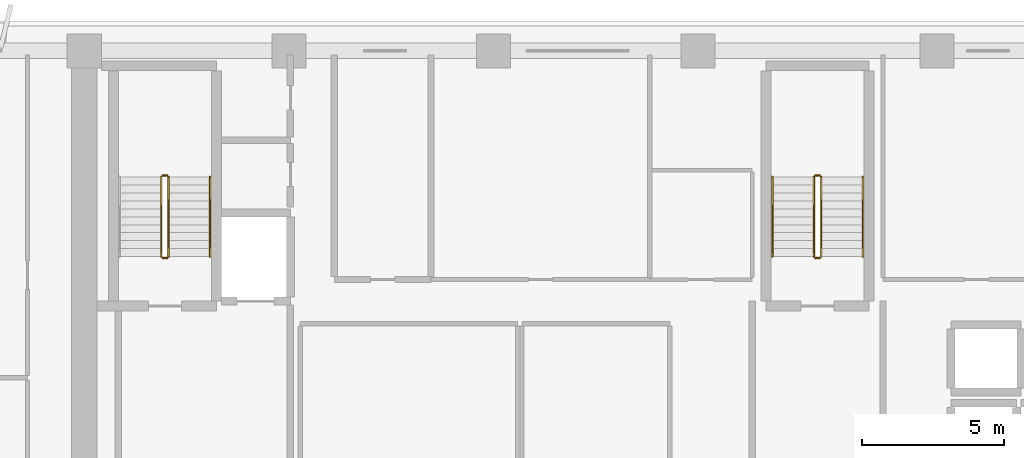
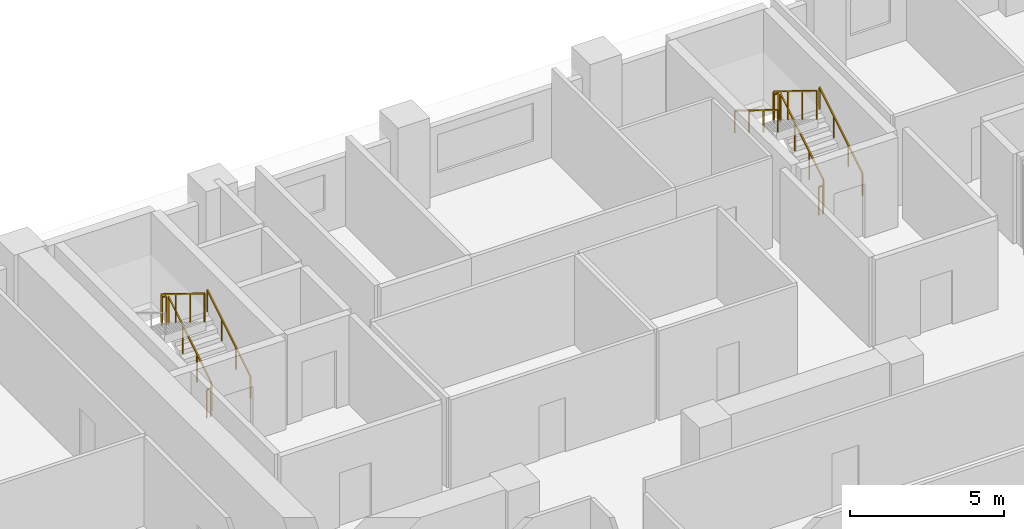
# One storey, part 13 of 15: 11 railings.
"""IFC4 building model written with IfcOpenShell, lengths in metres."""

import ifcopenshell
import ifcopenshell.guid

model = None  # the IFC model being written
_history = None  # IfcOwnerHistory: only IFC2X3 demands one
_inside = {}  # id of a spatial element -> (the spatial element, [elements in it])
_under = {}  # id of a project, library or spatial element -> (it, [spatial elements below it])
_declared = {}  # id of a project -> (the project, [libraries it declares])
_typed = {}  # id of a type object -> (the type object, [elements of that type])
_made_of = {}  # id of a material, layer set ... -> (it, [elements and type objects made of it])


def new_model(schema):
    """Start an empty IFC model of exactly this schema.

    Asked for "IFC4X3", IfcOpenShell would pick the latest addendum, in which some entities
    have other attributes; the version numbers below select the first issue.
    IFC2X3 requires an IfcOwnerHistory on every rooted entity: one is made here for all.
    """
    global model, _history
    if schema == "IFC4X3":
        model = ifcopenshell.file(schema_version=(4, 3, 0, 0))
    else:
        model = ifcopenshell.file(schema=schema)
    _inside.clear()
    _under.clear()
    _declared.clear()
    _typed.clear()
    _made_of.clear()
    _history = None
    if model.schema == "IFC2X3":
        org = make("IfcOrganization", Name="unknown")
        user = make(
            "IfcPersonAndOrganization",
            ThePerson=make("IfcPerson", FamilyName="unknown"),
            TheOrganization=org,
        )
        app = make(
            "IfcApplication",
            ApplicationDeveloper=org,
            Version="unknown",
            ApplicationFullName="unknown",
            ApplicationIdentifier="unknown",
        )
        _history = make(
            "IfcOwnerHistory",
            OwningUser=user,
            OwningApplication=app,
            ChangeAction="ADDED",
            CreationDate=0,
        )
    return model


def make(cls, **values):
    """One entity of the class cls with the attributes given. An attribute that is None is left unset."""
    return model.create_entity(
        cls, **{name: value for name, value in values.items() if value is not None}
    )


def rooted(cls, **values):
    """An entity with a GlobalId (a new one), such as an element, a storey or a relation."""
    return make(cls, GlobalId=ifcopenshell.guid.new(), OwnerHistory=_history, **values)


def si_unit(unit_type, name, prefix=None):
    """IfcSIUnit, for example si_unit("LENGTHUNIT", "METRE", prefix="MILLI")."""
    return make("IfcSIUnit", UnitType=unit_type, Prefix=prefix, Name=name)


def assignment(units):
    """IfcUnitAssignment: the units of a project."""
    return None if units is None else make("IfcUnitAssignment", Units=units)


def point(xyz):
    """IfcCartesianPoint."""
    return None if xyz is None else make("IfcCartesianPoint", Coordinates=xyz)


def direction(xyz):
    """IfcDirection."""
    return None if xyz is None else make("IfcDirection", DirectionRatios=xyz)


def frame(location, z_axis=None, x_axis=None):
    """IfcAxis2Placement3D, a coordinate frame: its origin and axes. An axis left out is left unset."""
    return make(
        "IfcAxis2Placement3D",
        Location=point(location),
        Axis=direction(z_axis),
        RefDirection=direction(x_axis),
    )


def frame_2d(location, x_axis=None):
    """IfcAxis2Placement2D, a coordinate frame in the plane: its origin and x axis."""
    return make(
        "IfcAxis2Placement2D", Location=point(location), RefDirection=direction(x_axis)
    )


def origin():
    """The frame at (0, 0, 0) with its axes left unset."""
    return frame((0.0, 0.0, 0.0))


def origin_2d():
    """The frame at (0, 0) in the plane with its x axis left unset."""
    return frame_2d((0.0, 0.0))


def place(relative_to, where):
    """IfcLocalPlacement: puts the frame where relative to a parent placement (None: the world)."""
    return make(
        "IfcLocalPlacement", PlacementRelTo=relative_to, RelativePlacement=where
    )


def context(
    kind, dimensions, precision=None, world=None, true_north=None, identifier=None
):
    """IfcGeometricRepresentationContext, for example the 3D "Model" context."""
    return make(
        "IfcGeometricRepresentationContext",
        ContextIdentifier=identifier,
        ContextType=kind,
        CoordinateSpaceDimension=dimensions,
        Precision=precision,
        WorldCoordinateSystem=world,
        TrueNorth=true_north,
    )


def subcontext(parent, identifier, kind, view, scale=None):
    """IfcGeometricRepresentationSubContext, for example "Body" below "Model"."""
    return make(
        "IfcGeometricRepresentationSubContext",
        ContextIdentifier=identifier,
        ContextType=kind,
        ParentContext=parent,
        TargetScale=scale,
        TargetView=view,
    )


def project(units=None, contexts=None):
    """IfcProject with its units and contexts."""
    return rooted(
        "IfcProject",
        Name="project",
        RepresentationContexts=contexts,
        UnitsInContext=assignment(units),
    )


def spatial(cls, under=None, at=None, **own):
    """A site, building, storey or space (cls), placed at a placement, below another one or the project."""
    s = rooted(cls, ObjectPlacement=at, **own)
    if under is not None:
        _under.setdefault(under.id(), (under, []))[1].append(s)
    return s


def profile(cls, at=None, kind="AREA", **sizes):
    """A parametric profile (cls). Its sizes go by their IFC names, for example OverallWidth=200.0."""
    return make(cls, ProfileType=kind, Position=at, **sizes)


def rectangle(**sizes):
    """IfcRectangleProfileDef."""
    return profile("IfcRectangleProfileDef", **sizes)


def extrude(swept, where, along, depth):
    """IfcExtrudedAreaSolid: the profile swept, set in the frame where, extruded along a direction by depth."""
    return make(
        "IfcExtrudedAreaSolid",
        SweptArea=swept,
        Position=where,
        ExtrudedDirection=direction(along),
        Depth=depth,
    )


def shape(context_of_items, identifier, shape_type, items):
    """IfcShapeRepresentation: the items that make up one representation, for example the "Body"."""
    return make(
        "IfcShapeRepresentation",
        ContextOfItems=context_of_items,
        RepresentationIdentifier=identifier,
        RepresentationType=shape_type,
        Items=items,
    )


def material(Name=None, Category=None):
    """IfcMaterial."""
    return make("IfcMaterial", Name=Name, Category=Category)


def made_of(thing, what):
    """Note that an element or type object is made of a material, layer set ...; save() writes the relation."""
    if what is not None:
        _made_of.setdefault(what.id(), (what, []))[1].append(thing)
    return thing


def type_object(cls, material=None, **own):
    """A type object (cls), such as IfcWallType, which elements share."""
    return made_of(rooted(cls, **own), material)


def element(
    cls,
    number,
    at=None,
    inside=None,
    cuts=None,
    type_object=None,
    material=None,
    context=None,
    identifier="Body",
    shape_type=None,
    held_by="IfcProductDefinitionShape",
    body=None,
    shapes=None,
    **own,
):
    """One element of the class cls, such as IfcWall. Its Tag is "e" and its number.

    at: its placement. inside: the storey or other place that contains it. cuts: it is an
    opening in that element (IfcRelVoidsElement). A single representation is given by context,
    identifier, shape_type and body (its items); several are given by shapes. held_by: the class
    of the entity that holds the representations. save() writes the other relations.
    """
    e = rooted(cls, Tag="e%d" % number, ObjectPlacement=at, **own)
    if body is not None:
        shapes = [shape(context, identifier, shape_type, body)]
    if shapes is not None:
        e.Representation = make(held_by, Representations=shapes)
    if inside is not None:
        _inside.setdefault(inside.id(), (inside, []))[1].append(e)
    if cuts is not None:
        rooted(
            "IfcRelVoidsElement", RelatingBuildingElement=cuts, RelatedOpeningElement=e
        )
    if type_object is not None:
        _typed.setdefault(type_object.id(), (type_object, []))[1].append(e)
    return made_of(e, material)


def aggregate(whole, parts):
    """IfcRelAggregates: a whole, such as a stair, and the parts it consists of."""
    return rooted("IfcRelAggregates", RelatingObject=whole, RelatedObjects=parts)


def save(model, path):
    """Write the relations noted so far, then the file.

    IfcRelAggregates (storeys below a building ...), IfcRelContainedInSpatialStructure (elements
    in a storey), IfcRelDefinesByType, IfcRelAssociatesMaterial and IfcRelDeclares: one each for
    every whole, place, type object, material and project.
    """
    for whole, parts in _under.values():
        aggregate(whole, parts)
    for where, things in _inside.values():
        rooted(
            "IfcRelContainedInSpatialStructure",
            RelatedElements=things,
            RelatingStructure=where,
        )
    for kind, things in _typed.values():
        rooted("IfcRelDefinesByType", RelatedObjects=things, RelatingType=kind)
    for what, things in _made_of.values():
        rooted("IfcRelAssociatesMaterial", RelatedObjects=things, RelatingMaterial=what)
    for by, libraries in _declared.values():
        rooted("IfcRelDeclares", RelatingContext=by, RelatedDefinitions=libraries)
    model.write(path)


model = new_model("IFC4")

# Units and contexts
model_context = context("Model", 3, precision=1e-05, world=origin(), true_north=direction((0.0, 1.0)))
body_context = subcontext(model_context, "Body", "Model", "MODEL_VIEW")
ifc_project = project(units=[si_unit("LENGTHUNIT", "METRE"), si_unit("AREAUNIT", "SQUARE_METRE"), si_unit("VOLUMEUNIT", "CUBIC_METRE"), si_unit("PLANEANGLEUNIT", "RADIAN"), si_unit("MASSUNIT", "GRAM", prefix="KILO")], contexts=[model_context])

# Site, building, storey
site_placement = place(None, origin())
site = spatial("IfcSite", under=ifc_project, at=site_placement, CompositionType="ELEMENT")
building_placement = place(site_placement, origin())
building = spatial("IfcBuilding", under=site, at=building_placement, Name="Kaelvorn Grand Hotel", CompositionType="ELEMENT")
storey_placement = place(building_placement, frame((0.0, 0.0, 173.35009765625)))
storey = spatial("IfcBuildingStorey", under=building, at=storey_placement, Name="L42", CompositionType="ELEMENT", Elevation=173.35009765625)

# Railings
ifc_material = material(Name="Stainless Steel", Category="steel")
railing_type_1 = type_object("IfcRailingType", Name="RL-HANDRAIL-900", PredefinedType="HANDRAIL", material=ifc_material)
for number, where, name in (
    (1, (20.6298828125, 41.760009765625, 0.172607421875), "L42 ST1 stair handrail 1"),
    (2, (43.590087890625, 41.760009765625, 0.172607421875), "L42 ST2 stair handrail 1"),
):
    element("IfcRailing", number, at=place(storey_placement, frame(where)), inside=storey, type_object=railing_type_1, Name=name, PredefinedType="HANDRAIL", context=body_context, shape_type="SweptSolid", body=[
        extrude(rectangle(XDim=0.048095703125, YDim=0.048095703125, at=origin_2d()), frame((0.0, 0.0, 0.8759765625), z_axis=(0.0, 0.851089632645, 0.525020415988), x_axis=(-1.0, 0.0, 0.0)), (0.0, 0.0, 1.0), 3.2900390625),
        extrude(rectangle(XDim=0.0419921875, YDim=0.0419921875, at=origin_2d()), origin(), (0.0, 0.0, 1.0), 0.851806640625),
        extrude(rectangle(XDim=0.0419921875, YDim=0.0419921875, at=origin_2d()), frame((0.0, 0.933349609375, 0.57568359375)), (0.0, 0.0, 1.0), 0.851806640625),
        extrude(rectangle(XDim=0.0419921875, YDim=0.0419921875, at=origin_2d()), frame((0.0, 1.86669921875, 1.151611328125)), (0.0, 0.0, 1.0), 0.851806640625),
        extrude(rectangle(XDim=0.0419921875, YDim=0.0419921875, at=origin_2d()), frame((0.0, 2.800048828125, 1.727294921875)), (0.0, 0.0, 1.0), 0.851806640625),
    ])
railing_1_placement = place(storey_placement, frame((40.409912109375, 44.56005859375, 2.072509765625)))
element("IfcRailing", 3, at=railing_1_placement, inside=storey, type_object=railing_type_1, Name="L42 ST2 stair handrail 2", PredefinedType="HANDRAIL", context=body_context, shape_type="SweptSolid", body=[
    extrude(rectangle(XDim=0.048095703125, YDim=0.048095703125, at=origin_2d()), frame((0.0, 0.0, 0.8759765625), z_axis=(0.0, -0.851089632645, 0.525020415988), x_axis=(1.0, 0.0, 0.0)), (0.0, 0.0, 1.0), 3.2900390625),
    extrude(rectangle(XDim=0.0419921875, YDim=0.0419921875, at=origin_2d()), origin(), (0.0, 0.0, 1.0), 0.851806640625),
    extrude(rectangle(XDim=0.0419921875, YDim=0.0419921875, at=origin_2d()), frame((0.0, -0.933349609375, 0.57568359375)), (0.0, 0.0, 1.0), 0.851806640625),
    extrude(rectangle(XDim=0.0419921875, YDim=0.0419921875, at=origin_2d()), frame((0.0, -1.86669921875, 1.151611328125)), (0.0, 0.0, 1.0), 0.851806640625),
    extrude(rectangle(XDim=0.0419921875, YDim=0.0419921875, at=origin_2d()), frame((0.0, -2.800048828125, 1.727294921875)), (0.0, 0.0, 1.0), 0.851806640625),
])
railing_type_2 = type_object("IfcRailingType", Name="RL-STAIR-GUARD-1150", PredefinedType="BALUSTRADE", material=ifc_material)
railing_2_placement = place(storey_placement, frame((19.169921875, 41.760009765625, 0.172607421875)))
element("IfcRailing", 4, at=railing_2_placement, inside=storey, type_object=railing_type_2, Name="L42 ST1 stair guard 1", PredefinedType="BALUSTRADE", context=body_context, shape_type="SweptSolid", body=[
    extrude(rectangle(XDim=0.048095703125, YDim=0.048095703125, at=origin_2d()), frame((0.0, 0.0, 1.1259765625), z_axis=(0.0, 0.851089632645, 0.525020415988), x_axis=(-1.0, 0.0, 0.0)), (0.0, 0.0, 1.0), 3.2900390625),
    extrude(rectangle(XDim=0.0419921875, YDim=0.0419921875, at=origin_2d()), origin(), (0.0, 0.0, 1.0), 1.101806640625),
    extrude(rectangle(XDim=0.0419921875, YDim=0.0419921875, at=origin_2d()), frame((0.0, 0.933349609375, 0.57568359375)), (0.0, 0.0, 1.0), 1.101806640625),
    extrude(rectangle(XDim=0.0419921875, YDim=0.0419921875, at=origin_2d()), frame((0.0, 1.86669921875, 1.151611328125)), (0.0, 0.0, 1.0), 1.101806640625),
    extrude(rectangle(XDim=0.0419921875, YDim=0.0419921875, at=origin_2d()), frame((0.0, 2.800048828125, 1.727294921875)), (0.0, 0.0, 1.0), 1.101806640625),
])
railing_3_placement = place(storey_placement, frame((19.1201171875, 44.610107421875, 1.89990234375)))
element("IfcRailing", 5, at=railing_3_placement, inside=storey, type_object=railing_type_2, Name="L42 ST1 stair guard 2", PredefinedType="BALUSTRADE", context=body_context, shape_type="SweptSolid", body=[
    extrude(rectangle(XDim=0.048095703125, YDim=0.048095703125, at=origin_2d()), frame((0.0, 0.0, 1.1259765625), z_axis=(-1.0, 0.0, 0.0), x_axis=(0.0, -1.0, 0.0)), (0.0, 0.0, 1.0), 0.16015625),
    extrude(rectangle(XDim=0.0419921875, YDim=0.0419921875, at=origin_2d()), origin(), (0.0, 0.0, 1.0), 1.101806640625),
    extrude(rectangle(XDim=0.0419921875, YDim=0.0419921875, at=origin_2d()), frame((-0.16015625, 0.0, 0.0)), (0.0, 0.0, 1.0), 1.101806640625),
])
railing_4_placement = place(storey_placement, frame((18.909912109375, 44.56005859375, 2.072509765625)))
element("IfcRailing", 6, at=railing_4_placement, inside=storey, type_object=railing_type_2, Name="L42 ST1 stair guard 3", PredefinedType="BALUSTRADE", context=body_context, shape_type="SweptSolid", body=[
    extrude(rectangle(XDim=0.048095703125, YDim=0.048095703125, at=origin_2d()), frame((0.0, 0.0, 1.1259765625), z_axis=(0.0, -0.851089632645, 0.525020415988), x_axis=(1.0, 0.0, 0.0)), (0.0, 0.0, 1.0), 3.2900390625),
    extrude(rectangle(XDim=0.0419921875, YDim=0.0419921875, at=origin_2d()), origin(), (0.0, 0.0, 1.0), 1.101806640625),
    extrude(rectangle(XDim=0.0419921875, YDim=0.0419921875, at=origin_2d()), frame((0.0, -0.933349609375, 0.57568359375)), (0.0, 0.0, 1.0), 1.101806640625),
    extrude(rectangle(XDim=0.0419921875, YDim=0.0419921875, at=origin_2d()), frame((0.0, -1.86669921875, 1.151611328125)), (0.0, 0.0, 1.0), 1.101806640625),
    extrude(rectangle(XDim=0.0419921875, YDim=0.0419921875, at=origin_2d()), frame((0.0, -2.800048828125, 1.727294921875)), (0.0, 0.0, 1.0), 1.101806640625),
])
railing_5_placement = place(storey_placement, frame((19.1201171875, 41.7099609375, 0.0)))
element("IfcRailing", 7, at=railing_5_placement, inside=storey, type_object=railing_type_2, Name="L42 ST1 stair guard 4", PredefinedType="BALUSTRADE", context=body_context, shape_type="SweptSolid", body=[
    extrude(rectangle(XDim=0.048095703125, YDim=0.048095703125, at=origin_2d()), frame((0.0, 0.0, 1.1259765625), z_axis=(-1.0, 0.0, 0.0), x_axis=(0.0, -1.0, 0.0)), (0.0, 0.0, 1.0), 0.16015625),
    extrude(rectangle(XDim=0.0419921875, YDim=0.0419921875, at=origin_2d()), origin(), (0.0, 0.0, 1.0), 1.101806640625),
    extrude(rectangle(XDim=0.0419921875, YDim=0.0419921875, at=origin_2d()), frame((-0.16015625, 0.0, 0.0)), (0.0, 0.0, 1.0), 1.101806640625),
])
railing_6_placement = place(storey_placement, frame((42.1298828125, 41.760009765625, 0.172607421875)))
element("IfcRailing", 8, at=railing_6_placement, inside=storey, type_object=railing_type_2, Name="L42 ST2 stair guard 1", PredefinedType="BALUSTRADE", context=body_context, shape_type="SweptSolid", body=[
    extrude(rectangle(XDim=0.048095703125, YDim=0.048095703125, at=origin_2d()), frame((0.0, 0.0, 1.1259765625), z_axis=(0.0, 0.851089632645, 0.525020415988), x_axis=(-1.0, 0.0, 0.0)), (0.0, 0.0, 1.0), 3.2900390625),
    extrude(rectangle(XDim=0.0419921875, YDim=0.0419921875, at=origin_2d()), origin(), (0.0, 0.0, 1.0), 1.101806640625),
    extrude(rectangle(XDim=0.0419921875, YDim=0.0419921875, at=origin_2d()), frame((0.0, 0.933349609375, 0.57568359375)), (0.0, 0.0, 1.0), 1.101806640625),
    extrude(rectangle(XDim=0.0419921875, YDim=0.0419921875, at=origin_2d()), frame((0.0, 1.86669921875, 1.151611328125)), (0.0, 0.0, 1.0), 1.101806640625),
    extrude(rectangle(XDim=0.0419921875, YDim=0.0419921875, at=origin_2d()), frame((0.0, 2.800048828125, 1.727294921875)), (0.0, 0.0, 1.0), 1.101806640625),
])
railing_7_placement = place(storey_placement, frame((42.080078125, 44.610107421875, 1.89990234375)))
element("IfcRailing", 9, at=railing_7_placement, inside=storey, type_object=railing_type_2, Name="L42 ST2 stair guard 2", PredefinedType="BALUSTRADE", context=body_context, shape_type="SweptSolid", body=[
    extrude(rectangle(XDim=0.048095703125, YDim=0.048095703125, at=origin_2d()), frame((0.0, 0.0, 1.1259765625), z_axis=(-1.0, 0.0, 0.0), x_axis=(0.0, -1.0, 0.0)), (0.0, 0.0, 1.0), 0.16015625),
    extrude(rectangle(XDim=0.0419921875, YDim=0.0419921875, at=origin_2d()), origin(), (0.0, 0.0, 1.0), 1.101806640625),
    extrude(rectangle(XDim=0.0419921875, YDim=0.0419921875, at=origin_2d()), frame((-0.16015625, 0.0, 0.0)), (0.0, 0.0, 1.0), 1.101806640625),
])
railing_8_placement = place(storey_placement, frame((41.8701171875, 44.56005859375, 2.072509765625)))
element("IfcRailing", 10, at=railing_8_placement, inside=storey, type_object=railing_type_2, Name="L42 ST2 stair guard 3", PredefinedType="BALUSTRADE", context=body_context, shape_type="SweptSolid", body=[
    extrude(rectangle(XDim=0.048095703125, YDim=0.048095703125, at=origin_2d()), frame((0.0, 0.0, 1.1259765625), z_axis=(0.0, -0.851089632645, 0.525020415988), x_axis=(1.0, 0.0, 0.0)), (0.0, 0.0, 1.0), 3.2900390625),
    extrude(rectangle(XDim=0.0419921875, YDim=0.0419921875, at=origin_2d()), origin(), (0.0, 0.0, 1.0), 1.101806640625),
    extrude(rectangle(XDim=0.0419921875, YDim=0.0419921875, at=origin_2d()), frame((0.0, -0.933349609375, 0.57568359375)), (0.0, 0.0, 1.0), 1.101806640625),
    extrude(rectangle(XDim=0.0419921875, YDim=0.0419921875, at=origin_2d()), frame((0.0, -1.86669921875, 1.151611328125)), (0.0, 0.0, 1.0), 1.101806640625),
    extrude(rectangle(XDim=0.0419921875, YDim=0.0419921875, at=origin_2d()), frame((0.0, -2.800048828125, 1.727294921875)), (0.0, 0.0, 1.0), 1.101806640625),
])
railing_9_placement = place(storey_placement, frame((42.080078125, 41.7099609375, 0.0)))
element("IfcRailing", 11, at=railing_9_placement, inside=storey, type_object=railing_type_2, Name="L42 ST2 stair guard 4", PredefinedType="BALUSTRADE", context=body_context, shape_type="SweptSolid", body=[
    extrude(rectangle(XDim=0.048095703125, YDim=0.048095703125, at=origin_2d()), frame((0.0, 0.0, 1.1259765625), z_axis=(-1.0, 0.0, 0.0), x_axis=(0.0, -1.0, 0.0)), (0.0, 0.0, 1.0), 0.16015625),
    extrude(rectangle(XDim=0.0419921875, YDim=0.0419921875, at=origin_2d()), origin(), (0.0, 0.0, 1.0), 1.101806640625),
    extrude(rectangle(XDim=0.0419921875, YDim=0.0419921875, at=origin_2d()), frame((-0.16015625, 0.0, 0.0)), (0.0, 0.0, 1.0), 1.101806640625),
])

save(model, "model.ifc")
